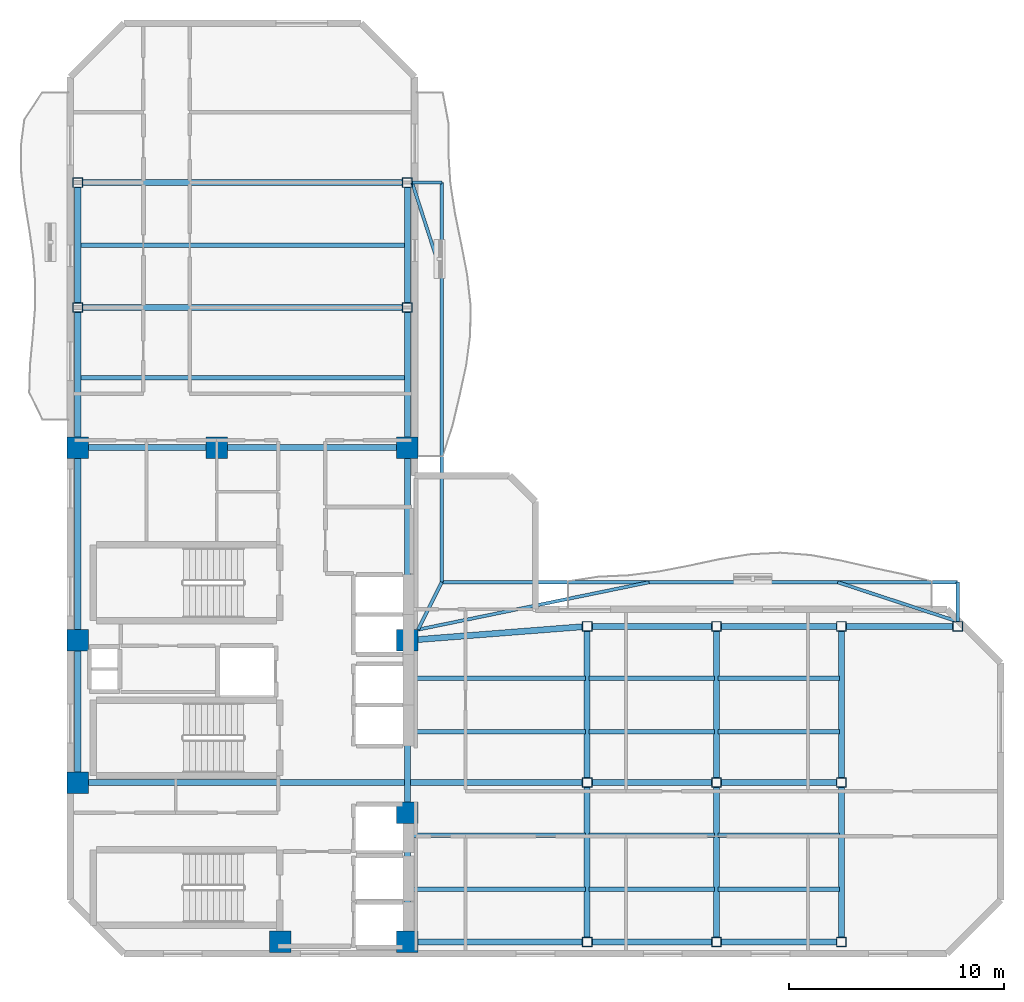
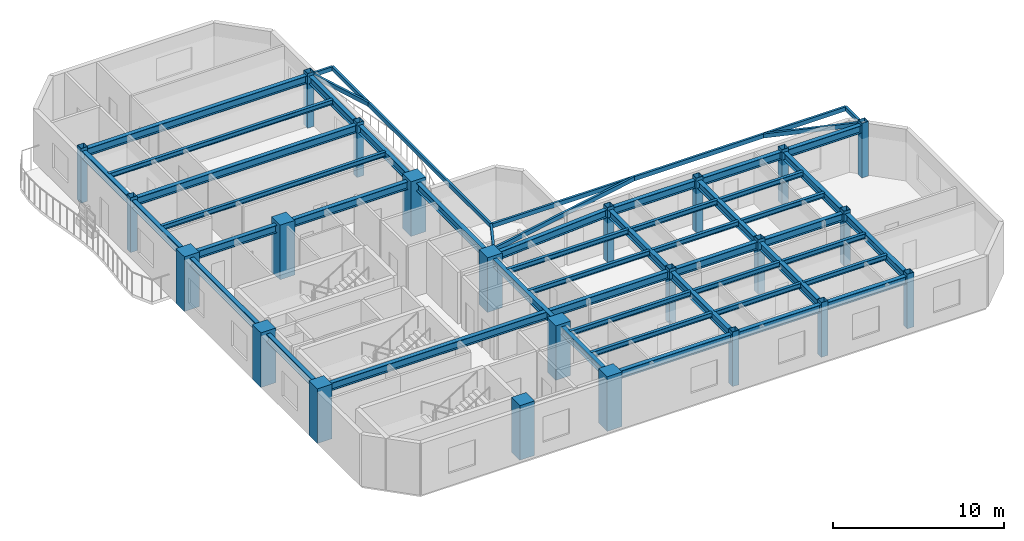
# One storey, part 1 of 9: 51 beams, 23 columns.
"""IFC4 building model written with IfcOpenShell, lengths in metres."""

from ifc_helpers import new_model, si_unit, direction, frame, origin, origin_2d, place, context, subcontext, project, spatial, rectangle, hollow_rectangle, i_section, extrude, material, material_profile, profile_set, type_object, element, save


model = new_model("IFC4")

# Units and contexts
model_context = context("Model", 3, precision=1e-05, world=origin(), true_north=direction((0.0, 1.0)))
body_context = subcontext(model_context, "Body", "Model", "MODEL_VIEW")
ifc_project = project(units=[si_unit("LENGTHUNIT", "METRE"), si_unit("AREAUNIT", "SQUARE_METRE"), si_unit("VOLUMEUNIT", "CUBIC_METRE"), si_unit("PLANEANGLEUNIT", "RADIAN"), si_unit("MASSUNIT", "GRAM", prefix="KILO")], contexts=[model_context])

# Site, building, storey
site_placement = place(None, origin())
site = spatial("IfcSite", under=ifc_project, at=site_placement, CompositionType="ELEMENT")
building_placement = place(site_placement, origin())
building = spatial("IfcBuilding", under=site, at=building_placement, Name="Mawjaban Terraces University", CompositionType="ELEMENT")
storey_placement = place(building_placement, frame((0.0, 0.0, 222.60009765625)))
storey = spatial("IfcBuildingStorey", under=building, at=storey_placement, Name="L54", CompositionType="ELEMENT", Elevation=222.60009765625)

# Columns
ifc_material_1 = material(Name="Concrete C60/75", Category="concrete")
ifc_material_profile_1 = material_profile(ifc_material_1, rectangle(XDim=1.0, YDim=1.0, at=origin_2d()), Name="RC1000X1000")
ifc_profile_set_1 = profile_set([ifc_material_profile_1], Name="Concrete C60/75")
column_type_1 = type_object("IfcColumnType", Name="Col_RC1000X1000", PredefinedType="COLUMN", material=ifc_profile_set_1)
for number, where, z_axis, x_axis, name in (
    (1, (31.75, 0.550048828125, 0.0), (0.0, 0.0, 1.0), (1.0, 0.0, 0.0), "L54 Column CC2"),
    (2, (37.64990234375, 0.550048828125, 0.0), (0.0, 0.0, 1.0), (1.0, 0.0, 0.0), "L54 Column CC3"),
    (3, (22.35009765625, 7.949951171875, 0.0), (0.0, 0.0, 1.0), (1.0, 0.0, 0.0), "L54 Column CC4"),
    (4, (37.64990234375, 6.550048828125, 0.0), (0.0, 0.0, 1.0), (1.0, 0.0, 0.0), "L54 Column CC5"),
    (5, (22.35009765625, 14.550048828125, 0.0), (0.0, 0.0, 1.0), (1.0, 0.0, 0.0), "L54 Column CC6"),
    (6, (37.64990234375, 14.550048828125, 0.0), (0.0, 0.0, 1.0), (1.0, 0.0, 0.0), "L54 Column CC7"),
    (7, (22.35009765625, 23.5, 0.0), (0.0, 0.0, 1.0), (1.0, 0.0, 0.0), "L54 Column CC8"),
    (8, (28.800048828125, 23.5, 0.0), (0.0, 0.0, 1.0), (1.0, 0.0, 0.0), "L54 Column CC9"),
    (9, (37.64990234375, 23.5, 0.0), (0.0, 0.0, 1.0), (1.0, 0.0, 0.0), "L54 Column CC10"),
):
    element("IfcColumn", number, at=place(storey_placement, frame(where, z_axis=z_axis, x_axis=x_axis)), inside=storey, type_object=column_type_1, Name=name, PredefinedType="COLUMN", context=body_context, shape_type="SweptSolid", body=[
        extrude(rectangle(XDim=1.0, YDim=1.0, at=origin_2d()), origin(), (0.0, 0.0, 1.0), 3.89990234375),
    ])
ifc_material_2 = material(Name="Steel EN 10210-1 S355J2H", Category="steel")
ifc_material_profile_2 = material_profile(ifc_material_2, hollow_rectangle(XDim=0.449951171875, YDim=0.449951171875, WallThickness=0.02001953125, at=origin_2d()), Name="SHS450X450X20")
ifc_profile_set_2 = profile_set([ifc_material_profile_2], Name="Steel EN 10210-1 S355J2H")
column_type_2 = type_object("IfcColumnType", Name="Col_SHS450X450X20", PredefinedType="COLUMN", material=ifc_profile_set_2)
for number, where, z_axis, x_axis, name in (
    (10, (46.0, 0.550048828125, 0.0), (0.0, 0.0, 1.0), (1.0, 0.0, 0.0), "L54 Column TE-460-005"),
    (11, (46.0, 7.949951171875, 0.0), (0.0, 0.0, 1.0), (1.0, 0.0, 0.0), "L54 Column TE-460-080"),
    (12, (46.0, 15.199951171875, 0.0), (0.0, 0.0, 1.0), (1.0, 0.0, 0.0), "L54 Column TE-460-152"),
    (13, (52.0, 0.550048828125, 0.0), (0.0, 0.0, 1.0), (1.0, 0.0, 0.0), "L54 Column TE-520-005"),
    (14, (52.0, 7.949951171875, 0.0), (0.0, 0.0, 1.0), (1.0, 0.0, 0.0), "L54 Column TE-520-080"),
    (15, (52.0, 15.199951171875, 0.0), (0.0, 0.0, 1.0), (1.0, 0.0, 0.0), "L54 Column TE-520-152"),
    (16, (57.800048828125, 0.550048828125, 0.0), (0.0, 0.0, 1.0), (1.0, 0.0, 0.0), "L54 Column TE-578-005"),
    (17, (57.800048828125, 7.949951171875, 0.0), (0.0, 0.0, 1.0), (1.0, 0.0, 0.0), "L54 Column TE-578-080"),
    (18, (57.800048828125, 15.199951171875, 0.0), (0.0, 0.0, 1.0), (1.0, 0.0, 0.0), "L54 Column TE-578-152"),
    (19, (63.199951171875, 15.199951171875, 0.0), (0.0, 0.0, 1.0), (1.0, 0.0, 0.0), "L54 Column TE-632-152"),
    (20, (22.35009765625, 30.0, 0.0), (0.0, 0.0, 1.0), (1.0, 0.0, 0.0), "L54 Column TN-223-300"),
    (21, (37.64990234375, 30.0, 0.0), (0.0, 0.0, 1.0), (1.0, 0.0, 0.0), "L54 Column TN-376-300"),
    (22, (22.35009765625, 35.800048828125, 0.0), (0.0, 0.0, 1.0), (1.0, 0.0, 0.0), "L54 Column TN-223-358"),
    (23, (37.64990234375, 35.800048828125, 0.0), (0.0, 0.0, 1.0), (1.0, 0.0, 0.0), "L54 Column TN-376-358"),
):
    element("IfcColumn", number, at=place(storey_placement, frame(where, z_axis=z_axis, x_axis=x_axis)), inside=storey, type_object=column_type_2, Name=name, PredefinedType="COLUMN", context=body_context, shape_type="SweptSolid", body=[
        extrude(hollow_rectangle(XDim=0.449951171875, YDim=0.449951171875, WallThickness=0.02001953125, at=origin_2d()), origin(), (0.0, 0.0, 1.0), 3.89990234375),
    ])

# Beams
ifc_material_profile_3 = material_profile(ifc_material_2, hollow_rectangle(XDim=0.14990234375, YDim=0.300048828125, WallThickness=0.012451171875, at=origin_2d()), Name="RHS300X150X12.5")
ifc_profile_set_3 = profile_set([ifc_material_profile_3], Name="Steel EN 10210-1 S355J2H")
beam_type_1 = type_object("IfcBeamType", Name="BalconyCantileverSpandrel_RHS", PredefinedType="SPANDREL", material=ifc_profile_set_3)
beam_1_placement = place(storey_placement, frame((38.14990234375, 15.050048828125, 3.539794921875), z_axis=(0.447253297971, 0.894407338663, 0.0), x_axis=(-0.894407338663, 0.447253297971, 0.0)))
element("IfcBeam", 24, at=beam_1_placement, inside=storey, type_object=beam_type_1, Name="L54 Corner Outrigger BAL-L55-N", PredefinedType="SPANDREL", context=body_context, shape_type="SweptSolid", body=[
    extrude(hollow_rectangle(XDim=0.14990234375, YDim=0.300048828125, WallThickness=0.012451171875, at=origin_2d()), origin(), (0.0, 0.0, 1.0), 2.459716796875),
])
beam_2_placement = place(storey_placement, frame((63.199951171875, 15.425048828125, 3.539794921875), z_axis=(0.0, 1.0, 0.0), x_axis=(-1.0, 0.0, 0.0)))
element("IfcBeam", 25, at=beam_2_placement, inside=storey, type_object=beam_type_1, Name="L54 Exterior Outrigger BAL-L55-N.2", PredefinedType="SPANDREL", context=body_context, shape_type="SweptSolid", body=[
    extrude(hollow_rectangle(XDim=0.14990234375, YDim=0.300048828125, WallThickness=0.012451171875, at=origin_2d()), origin(), (0.0, 0.0, 1.0), 1.824951171875),
])
beam_3_placement = place(storey_placement, frame((39.25, 17.25, 3.539794921875), z_axis=(1.0, 0.0, 0.0), x_axis=(0.0, 1.0, 0.0)))
element("IfcBeam", 26, at=beam_3_placement, inside=storey, type_object=beam_type_1, Name="L54 Exterior Edge Spandrel BAL-L55-N", PredefinedType="SPANDREL", context=body_context, shape_type="SweptSolid", body=[
    extrude(hollow_rectangle(XDim=0.14990234375, YDim=0.300048828125, WallThickness=0.012451171875, at=origin_2d()), origin(), (0.0, 0.0, 1.0), 23.949951171875),
])
beam_4_placement = place(storey_placement, frame((38.14990234375, 15.050048828125, 3.539794921875), z_axis=(0.979603938686, 0.200938108161, 0.0), x_axis=(-0.200938108161, 0.979603938686, 0.0)))
element("IfcBeam", 27, at=beam_4_placement, inside=storey, type_object=beam_type_1, Name="L54 Exterior Diagonal Strut BAL-L55-N.1", PredefinedType="SPANDREL", context=body_context, shape_type="SweptSolid", body=[
    extrude(hollow_rectangle(XDim=0.14990234375, YDim=0.300048828125, WallThickness=0.012451171875, at=origin_2d()), origin(), (0.0, 0.0, 1.0), 10.948486328125),
])
beam_5_placement = place(storey_placement, frame((63.199951171875, 15.425048828125, 3.539794921875), z_axis=(-0.950375876023, 0.311103992699, 0.0), x_axis=(-0.311103992699, -0.950375876023, 0.0)))
element("IfcBeam", 28, at=beam_5_placement, inside=storey, type_object=beam_type_1, Name="L54 Exterior Diagonal Strut BAL-L55-N.2", PredefinedType="SPANDREL", context=body_context, shape_type="SweptSolid", body=[
    extrude(hollow_rectangle(XDim=0.14990234375, YDim=0.300048828125, WallThickness=0.012451171875, at=origin_2d()), origin(), (0.0, 0.0, 1.0), 5.865966796875),
])
beam_6_placement = place(storey_placement, frame((37.875, 35.800048828125, 3.539794921875), z_axis=(1.0, 0.0, 0.0), x_axis=(0.0, 1.0, 0.0)))
element("IfcBeam", 29, at=beam_6_placement, inside=storey, type_object=beam_type_1, Name="L54 Exterior Outrigger BAL-L55-E.2", PredefinedType="SPANDREL", context=body_context, shape_type="SweptSolid", body=[
    extrude(hollow_rectangle(XDim=0.14990234375, YDim=0.300048828125, WallThickness=0.012451171875, at=origin_2d()), origin(), (0.0, 0.0, 1.0), 1.375),
])
beam_7_placement = place(storey_placement, frame((39.25, 17.25, 3.539794921875), z_axis=(0.0, 1.0, 0.0), x_axis=(-1.0, 0.0, 0.0)))
element("IfcBeam", 30, at=beam_7_placement, inside=storey, type_object=beam_type_1, Name="L54 Exterior Edge Spandrel BAL-L55-E", PredefinedType="SPANDREL", context=body_context, shape_type="SweptSolid", body=[
    extrude(hollow_rectangle(XDim=0.14990234375, YDim=0.300048828125, WallThickness=0.012451171875, at=origin_2d()), origin(), (0.0, 0.0, 1.0), 18.550048828125),
])
beam_8_placement = place(storey_placement, frame((37.875, 35.800048828125, 3.539794921875), z_axis=(0.307820285415, -0.951444518554, 0.0), x_axis=(0.951444518554, 0.307820285415, 0.0)))
element("IfcBeam", 31, at=beam_8_placement, inside=storey, type_object=beam_type_1, Name="L54 Exterior Diagonal Strut BAL-L55-E.1", PredefinedType="SPANDREL", context=body_context, shape_type="SweptSolid", body=[
    extrude(hollow_rectangle(XDim=0.14990234375, YDim=0.300048828125, WallThickness=0.012451171875, at=origin_2d()), origin(), (0.0, 0.0, 1.0), 4.466796875),
])
ifc_material_3 = material(Name="Steel ASTM A572 Grade 50", Category="steel")
ifc_material_profile_4 = material_profile(ifc_material_3, i_section(OverallWidth=0.281005859375, OverallDepth=0.551025390625, WebThickness=0.01513671875, FlangeThickness=0.02587890625, at=origin_2d()), Name="W530X182")
ifc_profile_set_4 = profile_set([ifc_material_profile_4], Name="Steel ASTM A572 Grade 50")
beam_type_2 = type_object("IfcBeamType", Name="Beam_B_W530X182", PredefinedType="BEAM", material=ifc_profile_set_4)
beam_9_placement = place(storey_placement, frame((38.14990234375, 0.550048828125, 3.413818359375), z_axis=(1.0, 0.0, 0.0), x_axis=(0.0, 1.0, 0.0)))
element("IfcBeam", 32, at=beam_9_placement, inside=storey, type_object=beam_type_2, Name="L54 Beam BM-L54-EW-01", PredefinedType="BEAM", context=body_context, shape_type="SweptSolid", body=[
    extrude(i_section(OverallWidth=0.281005859375, OverallDepth=0.551025390625, WebThickness=0.01513671875, FlangeThickness=0.02587890625, at=origin_2d()), origin(), (0.0, 0.0, 1.0), 7.625),
])
beam_10_placement = place(storey_placement, frame((46.22509765625, 0.550048828125, 3.413818359375), z_axis=(1.0, 0.0, 0.0), x_axis=(0.0, 1.0, 0.0)))
element("IfcBeam", 33, at=beam_10_placement, inside=storey, type_object=beam_type_2, Name="L54 Beam BM-L54-EW-02", PredefinedType="BEAM", context=body_context, shape_type="SweptSolid", body=[
    extrude(i_section(OverallWidth=0.281005859375, OverallDepth=0.551025390625, WebThickness=0.01513671875, FlangeThickness=0.02587890625, at=origin_2d()), origin(), (0.0, 0.0, 1.0), 5.5498046875),
])
beam_11_placement = place(storey_placement, frame((52.22509765625, 0.550048828125, 3.413818359375), z_axis=(1.0, 0.0, 0.0), x_axis=(0.0, 1.0, 0.0)))
element("IfcBeam", 34, at=beam_11_placement, inside=storey, type_object=beam_type_2, Name="L54 Beam BM-L54-EW-03", PredefinedType="BEAM", context=body_context, shape_type="SweptSolid", body=[
    extrude(i_section(OverallWidth=0.281005859375, OverallDepth=0.551025390625, WebThickness=0.01513671875, FlangeThickness=0.02587890625, at=origin_2d()), origin(), (0.0, 0.0, 1.0), 5.349853515625),
])
beam_12_placement = place(storey_placement, frame((22.85009765625, 7.949951171875, 3.413818359375), z_axis=(1.0, 0.0, 0.0), x_axis=(0.0, 1.0, 0.0)))
element("IfcBeam", 35, at=beam_12_placement, inside=storey, type_object=beam_type_2, Name="L54 Beam BM-L54-EW-04", PredefinedType="BEAM", context=body_context, shape_type="SweptSolid", body=[
    extrude(i_section(OverallWidth=0.281005859375, OverallDepth=0.551025390625, WebThickness=0.01513671875, FlangeThickness=0.02587890625, at=origin_2d()), origin(), (0.0, 0.0, 1.0), 22.9248046875),
])
beam_13_placement = place(storey_placement, frame((46.22509765625, 7.949951171875, 3.413818359375), z_axis=(1.0, 0.0, 0.0), x_axis=(0.0, 1.0, 0.0)))
element("IfcBeam", 36, at=beam_13_placement, inside=storey, type_object=beam_type_2, Name="L54 Beam BM-L54-EW-05", PredefinedType="BEAM", context=body_context, shape_type="SweptSolid", body=[
    extrude(i_section(OverallWidth=0.281005859375, OverallDepth=0.551025390625, WebThickness=0.01513671875, FlangeThickness=0.02587890625, at=origin_2d()), origin(), (0.0, 0.0, 1.0), 5.5498046875),
])
beam_14_placement = place(storey_placement, frame((52.22509765625, 7.949951171875, 3.413818359375), z_axis=(1.0, 0.0, 0.0), x_axis=(0.0, 1.0, 0.0)))
element("IfcBeam", 37, at=beam_14_placement, inside=storey, type_object=beam_type_2, Name="L54 Beam BM-L54-EW-06", PredefinedType="BEAM", context=body_context, shape_type="SweptSolid", body=[
    extrude(i_section(OverallWidth=0.281005859375, OverallDepth=0.551025390625, WebThickness=0.01513671875, FlangeThickness=0.02587890625, at=origin_2d()), origin(), (0.0, 0.0, 1.0), 5.349853515625),
])
beam_15_placement = place(storey_placement, frame((46.22509765625, 15.199951171875, 3.413818359375), z_axis=(1.0, 0.0, 0.0), x_axis=(0.0, 1.0, 0.0)))
element("IfcBeam", 38, at=beam_15_placement, inside=storey, type_object=beam_type_2, Name="L54 Beam BM-L54-EW-07", PredefinedType="BEAM", context=body_context, shape_type="SweptSolid", body=[
    extrude(i_section(OverallWidth=0.281005859375, OverallDepth=0.551025390625, WebThickness=0.01513671875, FlangeThickness=0.02587890625, at=origin_2d()), origin(), (0.0, 0.0, 1.0), 5.5498046875),
])
beam_16_placement = place(storey_placement, frame((52.22509765625, 15.199951171875, 3.413818359375), z_axis=(1.0, 0.0, 0.0), x_axis=(0.0, 1.0, 0.0)))
element("IfcBeam", 39, at=beam_16_placement, inside=storey, type_object=beam_type_2, Name="L54 Beam BM-L54-EW-08", PredefinedType="BEAM", context=body_context, shape_type="SweptSolid", body=[
    extrude(i_section(OverallWidth=0.281005859375, OverallDepth=0.551025390625, WebThickness=0.01513671875, FlangeThickness=0.02587890625, at=origin_2d()), origin(), (0.0, 0.0, 1.0), 5.349853515625),
])
beam_17_placement = place(storey_placement, frame((58.02490234375, 15.199951171875, 3.413818359375), z_axis=(1.0, 0.0, 0.0), x_axis=(0.0, 1.0, 0.0)))
element("IfcBeam", 40, at=beam_17_placement, inside=storey, type_object=beam_type_2, Name="L54 Beam BM-L54-EW-09", PredefinedType="BEAM", context=body_context, shape_type="SweptSolid", body=[
    extrude(i_section(OverallWidth=0.281005859375, OverallDepth=0.551025390625, WebThickness=0.01513671875, FlangeThickness=0.02587890625, at=origin_2d()), origin(), (0.0, 0.0, 1.0), 4.9501953125),
])
beam_18_placement = place(storey_placement, frame((22.85009765625, 23.5, 3.413818359375), z_axis=(1.0, 0.0, 0.0), x_axis=(0.0, 1.0, 0.0)))
element("IfcBeam", 41, at=beam_18_placement, inside=storey, type_object=beam_type_2, Name="L54 Beam BM-L54-EW-10", PredefinedType="BEAM", context=body_context, shape_type="SweptSolid", body=[
    extrude(i_section(OverallWidth=0.281005859375, OverallDepth=0.551025390625, WebThickness=0.01513671875, FlangeThickness=0.02587890625, at=origin_2d()), origin(), (0.0, 0.0, 1.0), 5.449951171875),
])
beam_19_placement = place(storey_placement, frame((29.300048828125, 23.5, 3.413818359375), z_axis=(1.0, 0.0, 0.0), x_axis=(0.0, 1.0, 0.0)))
element("IfcBeam", 42, at=beam_19_placement, inside=storey, type_object=beam_type_2, Name="L54 Beam BM-L54-EW-11", PredefinedType="BEAM", context=body_context, shape_type="SweptSolid", body=[
    extrude(i_section(OverallWidth=0.281005859375, OverallDepth=0.551025390625, WebThickness=0.01513671875, FlangeThickness=0.02587890625, at=origin_2d()), origin(), (0.0, 0.0, 1.0), 7.849853515625),
])
for number, where, z_axis, x_axis, name in (
    (43, (22.574951171875, 30.0, 3.413818359375), (1.0, 0.0, 0.0), (0.0, 1.0, 0.0), "L54 Beam BM-L54-EW-12"),
    (44, (22.574951171875, 35.800048828125, 3.413818359375), (1.0, 0.0, 0.0), (0.0, 1.0, 0.0), "L54 Beam BM-L54-EW-13"),
):
    element("IfcBeam", number, at=place(storey_placement, frame(where, z_axis=z_axis, x_axis=x_axis)), inside=storey, type_object=beam_type_2, Name=name, PredefinedType="BEAM", context=body_context, shape_type="SweptSolid", body=[
        extrude(i_section(OverallWidth=0.281005859375, OverallDepth=0.551025390625, WebThickness=0.01513671875, FlangeThickness=0.02587890625, at=origin_2d()), origin(), (0.0, 0.0, 1.0), 14.85009765625),
    ])
beam_20_placement = place(storey_placement, frame((22.35009765625, 8.449951171875, 3.413818359375), z_axis=(0.0, 1.0, 0.0), x_axis=(-1.0, 0.0, 0.0)))
element("IfcBeam", 45, at=beam_20_placement, inside=storey, type_object=beam_type_2, Name="L54 Beam BM-L54-NS-01", PredefinedType="BEAM", context=body_context, shape_type="SweptSolid", body=[
    extrude(i_section(OverallWidth=0.281005859375, OverallDepth=0.551025390625, WebThickness=0.01513671875, FlangeThickness=0.02587890625, at=origin_2d()), origin(), (0.0, 0.0, 1.0), 5.60009765625),
])
beam_21_placement = place(storey_placement, frame((22.35009765625, 15.050048828125, 3.413818359375), z_axis=(0.0, 1.0, 0.0), x_axis=(-1.0, 0.0, 0.0)))
element("IfcBeam", 46, at=beam_21_placement, inside=storey, type_object=beam_type_2, Name="L54 Beam BM-L54-NS-02", PredefinedType="BEAM", context=body_context, shape_type="SweptSolid", body=[
    extrude(i_section(OverallWidth=0.281005859375, OverallDepth=0.551025390625, WebThickness=0.01513671875, FlangeThickness=0.02587890625, at=origin_2d()), origin(), (0.0, 0.0, 1.0), 7.949951171875),
])
beam_22_placement = place(storey_placement, frame((22.35009765625, 24.0, 3.413818359375), z_axis=(0.0, 1.0, 0.0), x_axis=(-1.0, 0.0, 0.0)))
element("IfcBeam", 47, at=beam_22_placement, inside=storey, type_object=beam_type_2, Name="L54 Beam BM-L54-NS-03", PredefinedType="BEAM", context=body_context, shape_type="SweptSolid", body=[
    extrude(i_section(OverallWidth=0.281005859375, OverallDepth=0.551025390625, WebThickness=0.01513671875, FlangeThickness=0.02587890625, at=origin_2d()), origin(), (0.0, 0.0, 1.0), 5.77490234375),
])
beam_23_placement = place(storey_placement, frame((22.35009765625, 30.22509765625, 3.413818359375), z_axis=(0.0, 1.0, 0.0), x_axis=(-1.0, 0.0, 0.0)))
element("IfcBeam", 48, at=beam_23_placement, inside=storey, type_object=beam_type_2, Name="L54 Beam BM-L54-NS-04", PredefinedType="BEAM", context=body_context, shape_type="SweptSolid", body=[
    extrude(i_section(OverallWidth=0.281005859375, OverallDepth=0.551025390625, WebThickness=0.01513671875, FlangeThickness=0.02587890625, at=origin_2d()), origin(), (0.0, 0.0, 1.0), 5.349853515625),
])
beam_24_placement = place(storey_placement, frame((37.64990234375, 1.050048828125, 3.413818359375), z_axis=(0.0, 1.0, 0.0), x_axis=(-1.0, 0.0, 0.0)))
element("IfcBeam", 49, at=beam_24_placement, inside=storey, type_object=beam_type_2, Name="L54 Beam BM-L54-NS-05", PredefinedType="BEAM", context=body_context, shape_type="SweptSolid", body=[
    extrude(i_section(OverallWidth=0.281005859375, OverallDepth=0.551025390625, WebThickness=0.01513671875, FlangeThickness=0.02587890625, at=origin_2d()), origin(), (0.0, 0.0, 1.0), 5.0),
])
beam_25_placement = place(storey_placement, frame((37.64990234375, 7.050048828125, 3.413818359375), z_axis=(0.0, 1.0, 0.0), x_axis=(-1.0, 0.0, 0.0)))
element("IfcBeam", 50, at=beam_25_placement, inside=storey, type_object=beam_type_2, Name="L54 Beam BM-L54-NS-06", PredefinedType="BEAM", context=body_context, shape_type="SweptSolid", body=[
    extrude(i_section(OverallWidth=0.281005859375, OverallDepth=0.551025390625, WebThickness=0.01513671875, FlangeThickness=0.02587890625, at=origin_2d()), origin(), (0.0, 0.0, 1.0), 7.0),
])
beam_26_placement = place(storey_placement, frame((37.64990234375, 15.050048828125, 3.413818359375), z_axis=(0.0, 1.0, 0.0), x_axis=(-1.0, 0.0, 0.0)))
element("IfcBeam", 51, at=beam_26_placement, inside=storey, type_object=beam_type_2, Name="L54 Beam BM-L54-NS-07", PredefinedType="BEAM", context=body_context, shape_type="SweptSolid", body=[
    extrude(i_section(OverallWidth=0.281005859375, OverallDepth=0.551025390625, WebThickness=0.01513671875, FlangeThickness=0.02587890625, at=origin_2d()), origin(), (0.0, 0.0, 1.0), 7.949951171875),
])
beam_27_placement = place(storey_placement, frame((37.64990234375, 24.0, 3.413818359375), z_axis=(0.0, 1.0, 0.0), x_axis=(-1.0, 0.0, 0.0)))
element("IfcBeam", 52, at=beam_27_placement, inside=storey, type_object=beam_type_2, Name="L54 Beam BM-L54-NS-08", PredefinedType="BEAM", context=body_context, shape_type="SweptSolid", body=[
    extrude(i_section(OverallWidth=0.281005859375, OverallDepth=0.551025390625, WebThickness=0.01513671875, FlangeThickness=0.02587890625, at=origin_2d()), origin(), (0.0, 0.0, 1.0), 5.77490234375),
])
beam_28_placement = place(storey_placement, frame((37.64990234375, 30.22509765625, 3.413818359375), z_axis=(0.0, 1.0, 0.0), x_axis=(-1.0, 0.0, 0.0)))
element("IfcBeam", 53, at=beam_28_placement, inside=storey, type_object=beam_type_2, Name="L54 Beam BM-L54-NS-09", PredefinedType="BEAM", context=body_context, shape_type="SweptSolid", body=[
    extrude(i_section(OverallWidth=0.281005859375, OverallDepth=0.551025390625, WebThickness=0.01513671875, FlangeThickness=0.02587890625, at=origin_2d()), origin(), (0.0, 0.0, 1.0), 5.349853515625),
])
beam_29_placement = place(storey_placement, frame((46.0, 0.77490234375, 3.413818359375), z_axis=(0.0, 1.0, 0.0), x_axis=(-1.0, 0.0, 0.0)))
element("IfcBeam", 54, at=beam_29_placement, inside=storey, type_object=beam_type_2, Name="L54 Beam BM-L54-NS-10", PredefinedType="BEAM", context=body_context, shape_type="SweptSolid", body=[
    extrude(i_section(OverallWidth=0.281005859375, OverallDepth=0.551025390625, WebThickness=0.01513671875, FlangeThickness=0.02587890625, at=origin_2d()), origin(), (0.0, 0.0, 1.0), 6.9501953125),
])
beam_30_placement = place(storey_placement, frame((46.0, 8.175048828125, 3.413818359375), z_axis=(0.0, 1.0, 0.0), x_axis=(-1.0, 0.0, 0.0)))
element("IfcBeam", 55, at=beam_30_placement, inside=storey, type_object=beam_type_2, Name="L54 Beam BM-L54-NS-11", PredefinedType="BEAM", context=body_context, shape_type="SweptSolid", body=[
    extrude(i_section(OverallWidth=0.281005859375, OverallDepth=0.551025390625, WebThickness=0.01513671875, FlangeThickness=0.02587890625, at=origin_2d()), origin(), (0.0, 0.0, 1.0), 6.800048828125),
])
beam_31_placement = place(storey_placement, frame((52.0, 0.77490234375, 3.413818359375), z_axis=(0.0, 1.0, 0.0), x_axis=(-1.0, 0.0, 0.0)))
element("IfcBeam", 56, at=beam_31_placement, inside=storey, type_object=beam_type_2, Name="L54 Beam BM-L54-NS-12", PredefinedType="BEAM", context=body_context, shape_type="SweptSolid", body=[
    extrude(i_section(OverallWidth=0.281005859375, OverallDepth=0.551025390625, WebThickness=0.01513671875, FlangeThickness=0.02587890625, at=origin_2d()), origin(), (0.0, 0.0, 1.0), 6.9501953125),
])
beam_32_placement = place(storey_placement, frame((52.0, 8.175048828125, 3.413818359375), z_axis=(0.0, 1.0, 0.0), x_axis=(-1.0, 0.0, 0.0)))
element("IfcBeam", 57, at=beam_32_placement, inside=storey, type_object=beam_type_2, Name="L54 Beam BM-L54-NS-13", PredefinedType="BEAM", context=body_context, shape_type="SweptSolid", body=[
    extrude(i_section(OverallWidth=0.281005859375, OverallDepth=0.551025390625, WebThickness=0.01513671875, FlangeThickness=0.02587890625, at=origin_2d()), origin(), (0.0, 0.0, 1.0), 6.800048828125),
])
beam_33_placement = place(storey_placement, frame((57.800048828125, 0.77490234375, 3.413818359375), z_axis=(0.0, 1.0, 0.0), x_axis=(-1.0, 0.0, 0.0)))
element("IfcBeam", 58, at=beam_33_placement, inside=storey, type_object=beam_type_2, Name="L54 Beam BM-L54-NS-14", PredefinedType="BEAM", context=body_context, shape_type="SweptSolid", body=[
    extrude(i_section(OverallWidth=0.281005859375, OverallDepth=0.551025390625, WebThickness=0.01513671875, FlangeThickness=0.02587890625, at=origin_2d()), origin(), (0.0, 0.0, 1.0), 6.9501953125),
])
beam_34_placement = place(storey_placement, frame((57.800048828125, 8.175048828125, 3.413818359375), z_axis=(0.0, 1.0, 0.0), x_axis=(-1.0, 0.0, 0.0)))
element("IfcBeam", 59, at=beam_34_placement, inside=storey, type_object=beam_type_2, Name="L54 Beam BM-L54-NS-15", PredefinedType="BEAM", context=body_context, shape_type="SweptSolid", body=[
    extrude(i_section(OverallWidth=0.281005859375, OverallDepth=0.551025390625, WebThickness=0.01513671875, FlangeThickness=0.02587890625, at=origin_2d()), origin(), (0.0, 0.0, 1.0), 6.800048828125),
])
beam_35_placement = place(storey_placement, frame((38.14794921875, 14.589111328125, 3.413818359375), z_axis=(0.99698177718, 0.077635919341, 0.0), x_axis=(-0.077635919341, 0.99698177718, 0.0)))
element("IfcBeam", 60, at=beam_35_placement, inside=storey, type_object=beam_type_2, Name="L54 Beam BM-L54-CTIE", PredefinedType="BEAM", context=body_context, shape_type="SweptSolid", body=[
    extrude(i_section(OverallWidth=0.281005859375, OverallDepth=0.551025390625, WebThickness=0.01513671875, FlangeThickness=0.02587890625, at=origin_2d()), origin(), (0.0, 0.0, 1.0), 7.651123046875),
])
ifc_material_profile_5 = material_profile(ifc_material_3, i_section(OverallWidth=0.202880859375, OverallDepth=0.346923828125, WebThickness=0.0078125, FlangeThickness=0.013427734375, at=origin_2d()), Name="W360X64")
ifc_profile_set_5 = profile_set([ifc_material_profile_5], Name="Steel ASTM A572 Grade 50")
beam_type_3 = type_object("IfcBeamType", Name="Beam_J_W360X64", PredefinedType="JOIST", material=ifc_profile_set_5)
beam_36_placement = place(storey_placement, frame((37.72998046875, 3.0, 3.516845703125), z_axis=(1.0, 0.0, 0.0), x_axis=(0.0, 1.0, 0.0)))
element("IfcBeam", 61, at=beam_36_placement, inside=storey, type_object=beam_type_3, Name="L54 Composite Joist JST-L54-01", PredefinedType="JOIST", context=body_context, shape_type="SweptSolid", body=[
    extrude(i_section(OverallWidth=0.202880859375, OverallDepth=0.346923828125, WebThickness=0.0078125, FlangeThickness=0.013427734375, at=origin_2d()), origin(), (0.0, 0.0, 1.0), 8.18994140625),
])
beam_37_placement = place(storey_placement, frame((46.080078125, 3.0, 3.516845703125), z_axis=(1.0, 0.0, 0.0), x_axis=(0.0, 1.0, 0.0)))
element("IfcBeam", 62, at=beam_37_placement, inside=storey, type_object=beam_type_3, Name="L54 Composite Joist JST-L54-02", PredefinedType="JOIST", context=body_context, shape_type="SweptSolid", body=[
    extrude(i_section(OverallWidth=0.202880859375, OverallDepth=0.346923828125, WebThickness=0.0078125, FlangeThickness=0.013427734375, at=origin_2d()), origin(), (0.0, 0.0, 1.0), 5.83984375),
])
beam_38_placement = place(storey_placement, frame((52.080078125, 3.0, 3.516845703125), z_axis=(1.0, 0.0, 0.0), x_axis=(0.0, 1.0, 0.0)))
element("IfcBeam", 63, at=beam_38_placement, inside=storey, type_object=beam_type_3, Name="L54 Composite Joist JST-L54-03", PredefinedType="JOIST", context=body_context, shape_type="SweptSolid", body=[
    extrude(i_section(OverallWidth=0.202880859375, OverallDepth=0.346923828125, WebThickness=0.0078125, FlangeThickness=0.013427734375, at=origin_2d()), origin(), (0.0, 0.0, 1.0), 5.639892578125),
])
beam_39_placement = place(storey_placement, frame((37.72998046875, 5.5, 3.516845703125), z_axis=(1.0, 0.0, 0.0), x_axis=(0.0, 1.0, 0.0)))
element("IfcBeam", 64, at=beam_39_placement, inside=storey, type_object=beam_type_3, Name="L54 Composite Joist JST-L54-04", PredefinedType="JOIST", context=body_context, shape_type="SweptSolid", body=[
    extrude(i_section(OverallWidth=0.202880859375, OverallDepth=0.346923828125, WebThickness=0.0078125, FlangeThickness=0.013427734375, at=origin_2d()), origin(), (0.0, 0.0, 1.0), 8.18994140625),
])
beam_40_placement = place(storey_placement, frame((46.080078125, 5.5, 3.516845703125), z_axis=(1.0, 0.0, 0.0), x_axis=(0.0, 1.0, 0.0)))
element("IfcBeam", 65, at=beam_40_placement, inside=storey, type_object=beam_type_3, Name="L54 Composite Joist JST-L54-05", PredefinedType="JOIST", context=body_context, shape_type="SweptSolid", body=[
    extrude(i_section(OverallWidth=0.202880859375, OverallDepth=0.346923828125, WebThickness=0.0078125, FlangeThickness=0.013427734375, at=origin_2d()), origin(), (0.0, 0.0, 1.0), 5.83984375),
])
beam_41_placement = place(storey_placement, frame((52.080078125, 5.5, 3.516845703125), z_axis=(1.0, 0.0, 0.0), x_axis=(0.0, 1.0, 0.0)))
element("IfcBeam", 66, at=beam_41_placement, inside=storey, type_object=beam_type_3, Name="L54 Composite Joist JST-L54-06", PredefinedType="JOIST", context=body_context, shape_type="SweptSolid", body=[
    extrude(i_section(OverallWidth=0.202880859375, OverallDepth=0.346923828125, WebThickness=0.0078125, FlangeThickness=0.013427734375, at=origin_2d()), origin(), (0.0, 0.0, 1.0), 5.639892578125),
])
beam_42_placement = place(storey_placement, frame((37.72998046875, 10.300048828125, 3.516845703125), z_axis=(1.0, 0.0, 0.0), x_axis=(0.0, 1.0, 0.0)))
element("IfcBeam", 67, at=beam_42_placement, inside=storey, type_object=beam_type_3, Name="L54 Composite Joist JST-L54-07", PredefinedType="JOIST", context=body_context, shape_type="SweptSolid", body=[
    extrude(i_section(OverallWidth=0.202880859375, OverallDepth=0.346923828125, WebThickness=0.0078125, FlangeThickness=0.013427734375, at=origin_2d()), origin(), (0.0, 0.0, 1.0), 8.18994140625),
])
beam_43_placement = place(storey_placement, frame((46.080078125, 10.300048828125, 3.516845703125), z_axis=(1.0, 0.0, 0.0), x_axis=(0.0, 1.0, 0.0)))
element("IfcBeam", 68, at=beam_43_placement, inside=storey, type_object=beam_type_3, Name="L54 Composite Joist JST-L54-08", PredefinedType="JOIST", context=body_context, shape_type="SweptSolid", body=[
    extrude(i_section(OverallWidth=0.202880859375, OverallDepth=0.346923828125, WebThickness=0.0078125, FlangeThickness=0.013427734375, at=origin_2d()), origin(), (0.0, 0.0, 1.0), 5.83984375),
])
beam_44_placement = place(storey_placement, frame((52.080078125, 10.300048828125, 3.516845703125), z_axis=(1.0, 0.0, 0.0), x_axis=(0.0, 1.0, 0.0)))
element("IfcBeam", 69, at=beam_44_placement, inside=storey, type_object=beam_type_3, Name="L54 Composite Joist JST-L54-09", PredefinedType="JOIST", context=body_context, shape_type="SweptSolid", body=[
    extrude(i_section(OverallWidth=0.202880859375, OverallDepth=0.346923828125, WebThickness=0.0078125, FlangeThickness=0.013427734375, at=origin_2d()), origin(), (0.0, 0.0, 1.0), 5.639892578125),
])
beam_45_placement = place(storey_placement, frame((37.72998046875, 12.800048828125, 3.516845703125), z_axis=(1.0, 0.0, 0.0), x_axis=(0.0, 1.0, 0.0)))
element("IfcBeam", 70, at=beam_45_placement, inside=storey, type_object=beam_type_3, Name="L54 Composite Joist JST-L54-10", PredefinedType="JOIST", context=body_context, shape_type="SweptSolid", body=[
    extrude(i_section(OverallWidth=0.202880859375, OverallDepth=0.346923828125, WebThickness=0.0078125, FlangeThickness=0.013427734375, at=origin_2d()), origin(), (0.0, 0.0, 1.0), 8.18994140625),
])
beam_46_placement = place(storey_placement, frame((46.080078125, 12.800048828125, 3.516845703125), z_axis=(1.0, 0.0, 0.0), x_axis=(0.0, 1.0, 0.0)))
element("IfcBeam", 71, at=beam_46_placement, inside=storey, type_object=beam_type_3, Name="L54 Composite Joist JST-L54-11", PredefinedType="JOIST", context=body_context, shape_type="SweptSolid", body=[
    extrude(i_section(OverallWidth=0.202880859375, OverallDepth=0.346923828125, WebThickness=0.0078125, FlangeThickness=0.013427734375, at=origin_2d()), origin(), (0.0, 0.0, 1.0), 5.83984375),
])
beam_47_placement = place(storey_placement, frame((52.080078125, 12.800048828125, 3.516845703125), z_axis=(1.0, 0.0, 0.0), x_axis=(0.0, 1.0, 0.0)))
element("IfcBeam", 72, at=beam_47_placement, inside=storey, type_object=beam_type_3, Name="L54 Composite Joist JST-L54-12", PredefinedType="JOIST", context=body_context, shape_type="SweptSolid", body=[
    extrude(i_section(OverallWidth=0.202880859375, OverallDepth=0.346923828125, WebThickness=0.0078125, FlangeThickness=0.013427734375, at=origin_2d()), origin(), (0.0, 0.0, 1.0), 5.639892578125),
])
for number, where, z_axis, x_axis, name in (
    (73, (22.429931640625, 26.75, 3.516845703125), (1.0, 0.0, 0.0), (0.0, 1.0, 0.0), "L54 Composite Joist JST-L54-13"),
    (74, (22.429931640625, 32.89990234375, 3.516845703125), (1.0, 0.0, 0.0), (0.0, 1.0, 0.0), "L54 Composite Joist JST-L54-14"),
):
    element("IfcBeam", number, at=place(storey_placement, frame(where, z_axis=z_axis, x_axis=x_axis)), inside=storey, type_object=beam_type_3, Name=name, PredefinedType="JOIST", context=body_context, shape_type="SweptSolid", body=[
        extrude(i_section(OverallWidth=0.202880859375, OverallDepth=0.346923828125, WebThickness=0.0078125, FlangeThickness=0.013427734375, at=origin_2d()), origin(), (0.0, 0.0, 1.0), 15.14013671875),
    ])

save(model, "model.ifc")
